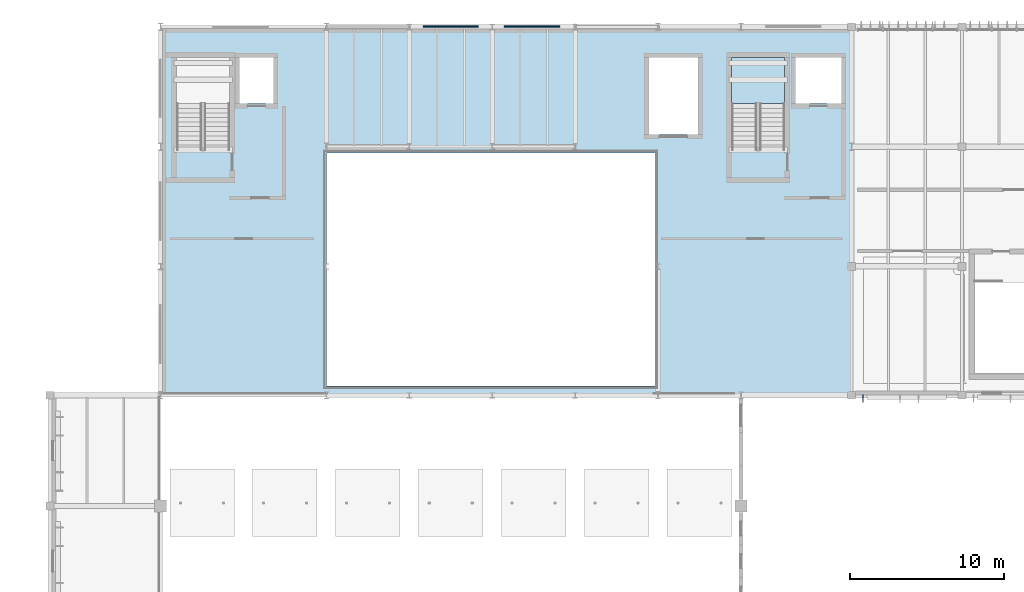
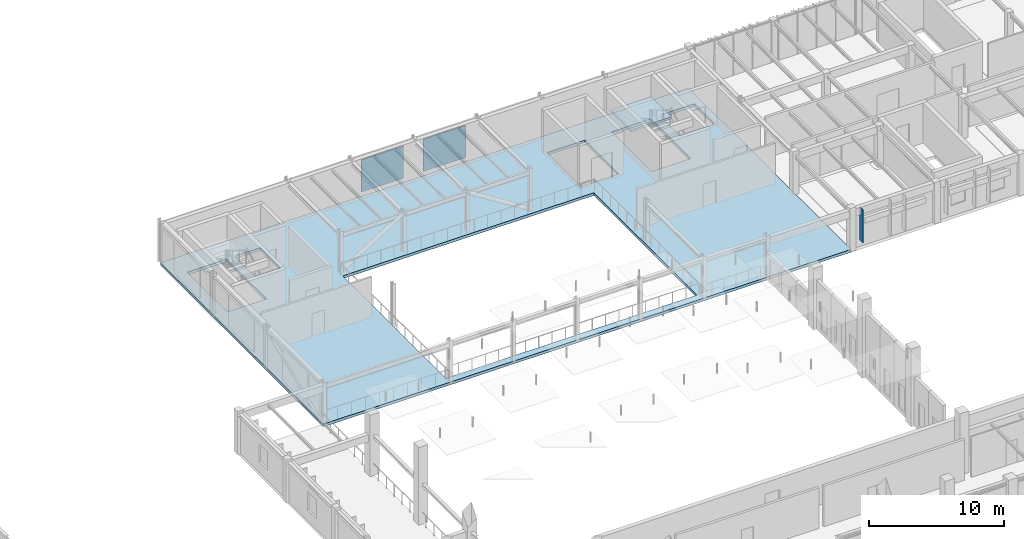
# One storey, part 14 of 44: 3 plates, 2 slabs, 1 element without a shape of its own.
"""IFC4 building model written with IfcOpenShell, lengths in metres."""

from ifc_helpers import new_model, si_unit, direction, frame, origin, origin_2d, place, context, subcontext, project, spatial, polyline, rectangle, outline, extrude, material, layer, layer_set, type_object, element, aggregate, save


model = new_model("IFC4")

# Units and contexts
model_context = context("Model", 3, precision=1e-05, world=origin(), true_north=direction((0.0, 1.0)))
body_context = subcontext(model_context, "Body", "Model", "MODEL_VIEW")
ifc_project = project(units=[si_unit("LENGTHUNIT", "METRE"), si_unit("AREAUNIT", "SQUARE_METRE"), si_unit("VOLUMEUNIT", "CUBIC_METRE"), si_unit("PLANEANGLEUNIT", "RADIAN"), si_unit("MASSUNIT", "GRAM", prefix="KILO")], contexts=[model_context])

# Site, building, storey
site_placement = place(None, origin())
site = spatial("IfcSite", under=ifc_project, at=site_placement, CompositionType="ELEMENT")
building_placement = place(site_placement, origin())
building = spatial("IfcBuilding", under=site, at=building_placement, Name="Tazoul Stagehouse", CompositionType="ELEMENT")
storey_placement = place(building_placement, frame((0.0, 0.0, 13.199951171875)))
storey = spatial("IfcBuildingStorey", under=building, at=storey_placement, Name="L03", CompositionType="ELEMENT", Elevation=13.199951171875)

# Stair, slab
ifc_material_1 = material(Name="Concrete C40/50", Category="concrete")
stair_type = type_object("IfcStairType", Name="Protected Core Dogleg Stair 4800", PredefinedType="HALF_TURN_STAIR", material=ifc_material_1)
stair_placement = place(storey_placement, origin())
stair = element("IfcStair", 1, at=stair_placement, inside=storey, type_object=stair_type, Name="L03 Core Escape Stair ST-01", PredefinedType="HALF_TURN_STAIR")
ifc_layer_1 = layer(ifc_material_1, 0.179931640625, Name="Concrete C40/50")
ifc_layer_set_1 = layer_set([ifc_layer_1], Name="Concrete C40/50")
slab_type_1 = type_object("IfcSlabType", Name="Core Half-Landing Slab 180", PredefinedType="LANDING", material=ifc_layer_set_1)
slab_1_placement = place(storey_placement, frame((0.0, 0.0, 1.75)))
slab_1 = element("IfcSlab", 2, at=slab_1_placement, type_object=slab_type_1, Name="ST-01 landing 1", PredefinedType="LANDING", context=body_context, shape_type="SweptSolid", body=[
    extrude(outline(polyline([(98.25, 106.800048828125), (98.25, 109.800048828125), (94.800048828125, 109.800048828125), (94.800048828125, 106.800048828125), (98.25, 106.800048828125)])), origin(), (0.0, 0.0, 1.0), 0.199951171875),
])
aggregate(stair, [slab_1])

# Plates
ifc_material_2 = material(Name="Anodised Bronze Aluminium 6063-T6", Category="aluminium")
ifc_layer_2 = layer(ifc_material_2, 0.080078125, Name="Anodised Bronze Aluminium 6063-T6")
ifc_layer_set_2 = layer_set([ifc_layer_2], Name="Anodised Bronze Aluminium 6063-T6")
plate_type_1 = type_object("IfcPlateType", Name="Fly-Tower Acoustic Metal Cladding Cassette 80", PredefinedType="USERDEFINED", material=ifc_layer_set_2)
for number, where, z_axis, x_axis, name in (
    (3, (76.5, 111.820068359375, 0.375), (0.0, 0.0, 1.0), (1.0, 0.0, 0.0), "L03 Fly-Tower Metal Cladding Panel MTL-01 N2"),
    (4, (81.800048828125, 111.820068359375, 0.375), (0.0, 0.0, 1.0), (1.0, 0.0, 0.0), "L03 Fly-Tower Metal Cladding Panel MTL-01 N3"),
):
    element("IfcPlate", number, at=place(storey_placement, frame(where, z_axis=z_axis, x_axis=x_axis)), inside=storey, type_object=plate_type_1, Name=name, ObjectType="CLADDING PANEL", PredefinedType="USERDEFINED", context=body_context, shape_type="SweptSolid", body=[
        extrude(rectangle(XDim=3.60009765625, YDim=0.080078125, at=origin_2d()), origin(), (0.0, 0.0, 1.0), 2.89990234375),
    ])
ifc_layer_3 = layer(ifc_material_2, 0.5, Name="Anodised Bronze Aluminium 6063-T6")
ifc_layer_set_3 = layer_set([ifc_layer_3], Name="Anodised Bronze Aluminium 6063-T6")
plate_type_2 = type_object("IfcPlateType", Name="Parametric Terracotta-Bronze Solar Fin 500x3000", PredefinedType="USERDEFINED", material=ifc_layer_set_3)
plate_placement = place(storey_placement, frame((103.35498046875, 87.590087890625, 0.580078125), z_axis=(0.0, 0.0, 1.0), x_axis=(1.0, 0.0, 0.0)))
element("IfcPlate", 5, at=plate_placement, inside=storey, type_object=plate_type_2, Name="L03 Parametric Solar Fin SFN-16 (WALL-V3-S1-L03-S1-01)", ObjectType="SOLAR FIN", PredefinedType="USERDEFINED", context=body_context, shape_type="SweptSolid", body=[
    extrude(rectangle(XDim=0.044921875, YDim=0.5, at=origin_2d()), origin(), (0.0, 0.0, 1.0), 3.0),
])

# Slab
ifc_material_3 = material(Name="Concrete C35/45", Category="concrete")
ifc_layer_4 = layer(ifc_material_3, 0.25, Name="Concrete C35/45")
ifc_layer_set_4 = layer_set([ifc_layer_4], Name="Concrete C35/45")
slab_type_2 = type_object("IfcSlabType", Name="Upper Gallery Slab 250", PredefinedType="FLOOR", material=ifc_layer_set_4)
slab_2_placement = place(storey_placement, frame((0.0, 0.0, -0.25)))
element("IfcSlab", 6, at=slab_2_placement, inside=storey, type_object=slab_type_2, Name="L03 Upper Gallery Slab 250 (V2)", PredefinedType="FLOOR", context=body_context, shape_type="SweptSolid", body=[
    extrude(outline(polyline([(57.60009765625, 87.800048828125), (57.60009765625, 111.800048828125), (102.60009765625, 111.800048828125), (102.60009765625, 87.800048828125), (57.60009765625, 87.800048828125)]), holes=[polyline([(58.7099609375, 103.860107421875), (58.7099609375, 109.739990234375), (62.0400390625, 109.739990234375), (62.0400390625, 103.860107421875), (58.7099609375, 103.860107421875)]), polyline([(64.949951171875, 106.800048828125), (62.75, 106.800048828125), (62.75, 109.800048828125), (64.949951171875, 109.800048828125), (64.949951171875, 106.800048828125)]), polyline([(68.39990234375, 103.60009765625), (89.800048828125, 103.60009765625), (89.800048828125, 88.39990234375), (68.39990234375, 88.39990234375), (68.39990234375, 103.60009765625)]), polyline([(94.860107421875, 103.860107421875), (94.860107421875, 109.739990234375), (98.18994140625, 109.739990234375), (98.18994140625, 103.860107421875), (94.860107421875, 103.860107421875)]), polyline([(89.39990234375, 104.800048828125), (89.39990234375, 109.800048828125), (92.60009765625, 109.800048828125), (92.60009765625, 104.800048828125), (89.39990234375, 104.800048828125)]), polyline([(98.949951171875, 106.800048828125), (98.949951171875, 109.800048828125), (101.949951171875, 109.800048828125), (101.949951171875, 106.800048828125), (98.949951171875, 106.800048828125)])]), origin(), (0.0, 0.0, 1.0), 0.25),
])

save(model, "model.ifc")
